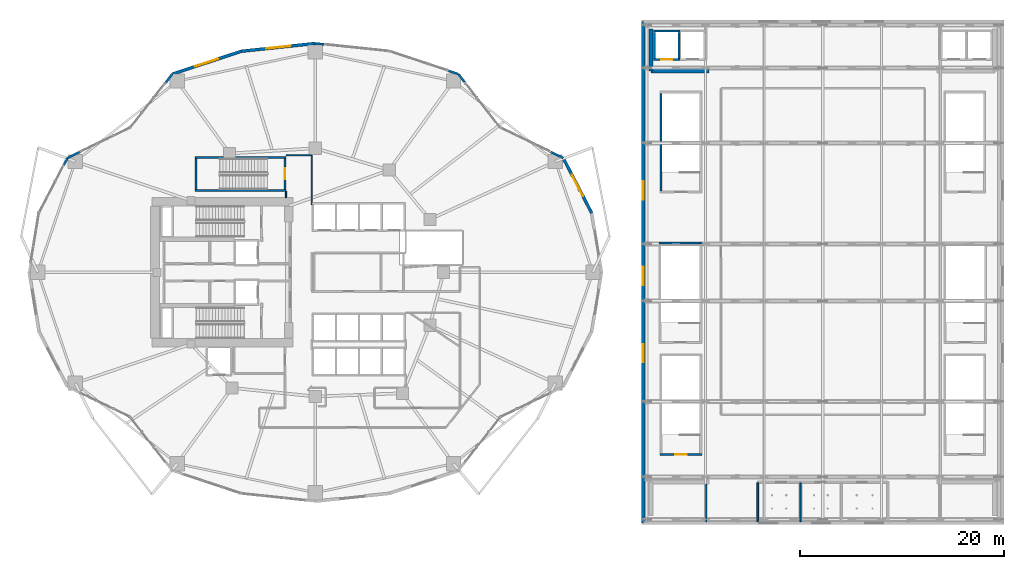
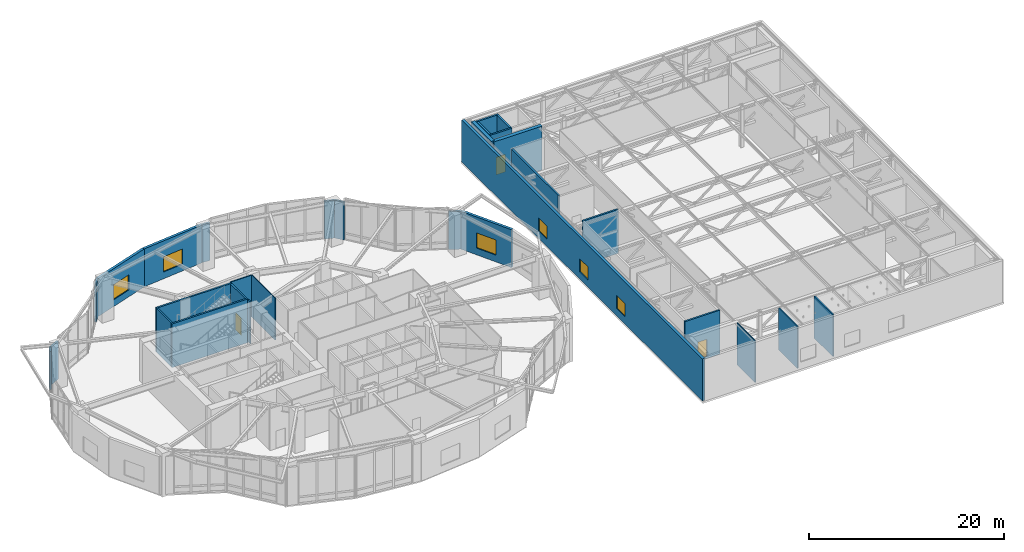
# One storey, part 24 of 29: 30 walls, 6 windows, 3 doors, 9 openings.
"""IFC4 building model written with IfcOpenShell, lengths in metres."""

from ifc_helpers import new_model, si_unit, direction, frame, frame_2d, origin, place, context, subcontext, project, spatial, rectangle, extrude, material, layer, layer_set, type_object, element, fill, save


model = new_model("IFC4")

# Units and contexts
model_context = context("Model", 3, precision=1e-05, world=origin(), true_north=direction((0.0, 1.0)))
body_context = subcontext(model_context, "Body", "Model", "MODEL_VIEW")
ifc_project = project(units=[si_unit("LENGTHUNIT", "METRE"), si_unit("AREAUNIT", "SQUARE_METRE"), si_unit("VOLUMEUNIT", "CUBIC_METRE"), si_unit("PLANEANGLEUNIT", "RADIAN"), si_unit("MASSUNIT", "GRAM", prefix="KILO")], contexts=[model_context])

# Site, building, storey
site_placement = place(None, origin())
site = spatial("IfcSite", under=ifc_project, at=site_placement, CompositionType="ELEMENT")
building_placement = place(site_placement, origin())
building = spatial("IfcBuilding", under=site, at=building_placement, Name="Kolvaren Gate Tower and Convention Centre", CompositionType="ELEMENT")
storey_placement = place(building_placement, frame((0.0, 0.0, 21.0)))
storey = spatial("IfcBuildingStorey", under=building, at=storey_placement, Name="L04", CompositionType="ELEMENT", Elevation=21.0)

# Walls
ifc_material_1 = material(Name="Fire-Rated Acoustic Gypsum Stud Partition", Category="gypsum")
ifc_layer_1 = layer(ifc_material_1, 0.1201171875)
ifc_layer_set_1 = layer_set([ifc_layer_1], Name="Fire-Rated Acoustic Gypsum Stud Partition")
wall_type_1 = type_object("IfcWallType", Name="ARCH-WL-PART-120", PredefinedType="PARTITIONING", material=ifc_layer_set_1)
wall_1_placement = place(storey_placement, frame((29.780029296875, 33.639892578125, 0.0), z_axis=(0.0, 0.0, 1.0), x_axis=(0.0, 1.0, 0.0)))
element("IfcWall", 1, at=wall_1_placement, inside=storey, type_object=wall_type_1, Name="Interior Partition WL-L04-INT-019", PredefinedType="PARTITIONING", context=body_context, shape_type="SweptSolid", body=[
    extrude(rectangle(XDim=4.860107421875, YDim=0.1201171875, at=frame_2d((2.43017578125, 0.0))), origin(), (0.0, 0.0, 1.0), 5.219970703125),
])
wall_2_placement = place(storey_placement, frame((27.25, 34.35205078125, 0.0), z_axis=(0.0, 0.0, 1.0), x_axis=(0.0, 1.0, 0.0)))
element("IfcWall", 2, at=wall_2_placement, inside=storey, type_object=wall_type_1, Name="Interior Partition WL-L04-INT-031", PredefinedType="PARTITIONING", context=body_context, shape_type="SweptSolid", body=[
    extrude(rectangle(XDim=0.60595703125, YDim=0.1201171875, at=frame_2d((0.302978515625, 0.0))), origin(), (0.0, 0.0, 1.0), 5.219970703125),
])
wall_3_placement = place(storey_placement, frame((27.25, 38.5, 0.0), z_axis=(0.0, 0.0, 1.0), x_axis=(1.0, 0.0, 0.0)))
element("IfcWall", 3, at=wall_3_placement, inside=storey, type_object=wall_type_1, Name="Interior Partition WL-L04-INT-032", PredefinedType="PARTITIONING", context=body_context, shape_type="SweptSolid", body=[
    extrude(rectangle(XDim=2.468017578125, YDim=0.1201171875, at=frame_2d((1.23388671875, 0.0))), origin(), (0.0, 0.0, 1.0), 5.219970703125),
])
wall_4_placement = place(storey_placement, frame((68.550048828125, 2.501953125, 0.0), z_axis=(0.0, 0.0, 1.0), x_axis=(0.0, 1.0, 0.0)))
element("IfcWall", 4, at=wall_4_placement, inside=storey, type_object=wall_type_1, Name="Interior Partition WL-L04-INT-047", PredefinedType="PARTITIONING", context=body_context, shape_type="SweptSolid", body=[
    extrude(rectangle(XDim=3.68603515625, YDim=0.1201171875, at=frame_2d((1.843017578125, 0.0))), origin(), (0.0, 0.0, 1.0), 5.25),
])
ifc_material_2 = material(Name="Bogota Sabana Bush-Hammered Sandstone Cladding", Category="masonry")
ifc_layer_2 = layer(ifc_material_2, 0.219970703125)
ifc_layer_set_2 = layer_set([ifc_layer_2], Name="Bogota Sabana Bush-Hammered Sandstone Cladding")
wall_type_2 = type_object("IfcWallType", Name="ARCH-WL-PIER-220", PredefinedType="SOLIDWALL", material=ifc_layer_set_2)
wall_5_placement = place(storey_placement, frame((53.23681640625, 38.848388671875, 0.0), z_axis=(0.0, 0.0, 1.0), x_axis=(0.901316119915, -0.433161923512, 0.0)))
element("IfcWall", 5, at=wall_5_placement, inside=storey, type_object=wall_type_2, Name="Tower L04 Unitised Curtain Wall CW-POD-GLZ Bay 02 Right Column Pier Wrap", PredefinedType="SOLIDWALL", context=body_context, shape_type="SweptSolid", body=[
    extrude(rectangle(XDim=1.38134765625, YDim=0.219970703125, at=frame_2d((0.690673828125, 0.0))), origin(), (0.0, 0.0, 1.0), 4.742919921875),
])
wall_6_placement = place(storey_placement, frame((44.1875, 46.485595703125, 0.0), z_axis=(0.0, 0.0, 1.0), x_axis=(0.616387780378, -0.787442762492, 0.0)))
element("IfcWall", 6, at=wall_6_placement, inside=storey, type_object=wall_type_2, Name="Tower L04 Unitised Curtain Wall CW-POD-GLZ Bay 03 Left Column Pier Wrap", PredefinedType="SOLIDWALL", context=body_context, shape_type="SweptSolid", body=[
    extrude(rectangle(XDim=1.076171875, YDim=0.219970703125, at=frame_2d((0.5380859375, 0.0))), origin(), (0.0, 0.0, 1.0), 4.742919921875),
])
wall_7_placement = place(storey_placement, frame((43.148193359375, 46.830078125, 0.0), z_axis=(0.0, 0.0, 1.0), x_axis=(0.949217086672, -0.314621872045, 0.0)))
element("IfcWall", 7, at=wall_7_placement, inside=storey, type_object=wall_type_2, Name="Tower L04 Unitised Curtain Wall CW-POD-GLZ Bay 04 Right Column Pier Wrap", PredefinedType="SOLIDWALL", context=body_context, shape_type="SweptSolid", body=[
    extrude(rectangle(XDim=1.094970703125, YDim=0.219970703125, at=frame_2d((0.54736328125, 0.0))), origin(), (0.0, 0.0, 1.0), 4.742919921875),
])
wall_8_placement = place(storey_placement, frame((30.125, 49.5, 0.0), z_axis=(0.0, 0.0, 1.0), x_axis=(0.994486716049, -0.104862632057, 0.0)))
element("IfcWall", 8, at=wall_8_placement, inside=storey, type_object=wall_type_2, Name="Tower L04 Unitised Curtain Wall CW-POD-GLZ Bay 05 Left Column Pier Wrap", PredefinedType="SOLIDWALL", context=body_context, shape_type="SweptSolid", body=[
    extrude(rectangle(XDim=0.928955078125, YDim=0.219970703125, at=frame_2d((0.46435546875, 0.0))), origin(), (0.0, 0.0, 1.0), 4.742919921875),
])
wall_9_placement = place(storey_placement, frame((15.39892578125, 45.63818359375, 0.0), z_axis=(0.0, 0.0, 1.0), x_axis=(0.616528421162, 0.787332652632, 0.0)))
element("IfcWall", 9, at=wall_9_placement, inside=storey, type_object=wall_type_2, Name="Tower L04 Unitised Curtain Wall CW-POD-GLZ Bay 08 Right Column Pier Wrap", PredefinedType="SOLIDWALL", context=body_context, shape_type="SweptSolid", body=[
    extrude(rectangle(XDim=1.076416015625, YDim=0.219970703125, at=frame_2d((0.5380859375, 0.0))), origin(), (0.0, 0.0, 1.0), 4.742919921875),
])
wall_10_placement = place(storey_placement, frame((5.76806640625, 38.25, 0.0), z_axis=(0.0, 0.0, 1.0), x_axis=(0.90131879969, 0.433156347438, 0.0)))
element("IfcWall", 10, at=wall_10_placement, inside=storey, type_object=wall_type_2, Name="Tower L04 Unitised Curtain Wall CW-POD-GLZ Bay 09 Left Column Pier Wrap", PredefinedType="SOLIDWALL", context=body_context, shape_type="SweptSolid", body=[
    extrude(rectangle(XDim=1.380859375, YDim=0.219970703125, at=frame_2d((0.6904296875, 0.0))), origin(), (0.0, 0.0, 1.0), 4.742919921875),
])
wall_11_placement = place(storey_placement, frame((5.3994140625, 37.537841796875, 0.0), z_axis=(0.0, 0.0, 1.0), x_axis=(0.459712774547, 0.88806765785, 0.0)))
element("IfcWall", 11, at=wall_11_placement, inside=storey, type_object=wall_type_2, Name="Tower L04 Unitised Curtain Wall CW-POD-GLZ Bay 10 Right Column Pier Wrap", PredefinedType="SOLIDWALL", context=body_context, shape_type="SweptSolid", body=[
    extrude(rectangle(XDim=0.802001953125, YDim=0.219970703125, at=frame_2d((0.40087890625, 0.0))), origin(), (0.0, 0.0, 1.0), 4.742919921875),
])
ifc_material_3 = material(Name="Autoclaved Aerated Masonry Blockwork Class 4 (4.0 MPa)", Category="masonry")
ifc_layer_3 = layer(ifc_material_3, 0.199951171875)
ifc_layer_set_3 = layer_set([ifc_layer_3], Name="Autoclaved Aerated Masonry Blockwork Class 4 (4.0 MPa)")
wall_type_3 = type_object("IfcWallType", Name="ARCH-WL-SHAFT-200", PredefinedType="SOLIDWALL", material=ifc_layer_set_3)
wall_12_placement = place(storey_placement, frame((63.35009765625, 50.699951171875, 0.0), z_axis=(0.0, 0.0, 1.0), x_axis=(1.0, 0.0, 0.0)))
element("IfcWall", 12, at=wall_12_placement, inside=storey, type_object=wall_type_3, Name="Elevator CL-01 L04 Fire Shaft Wall N", PredefinedType="SOLIDWALL", context=body_context, shape_type="SweptSolid", body=[
    extrude(rectangle(XDim=2.599853515625, YDim=0.199951171875, at=frame_2d((1.2998046875, 0.0))), origin(), (0.0, 0.0, 1.0), 5.25),
])

# Wall, opening, door
wall_13_placement = place(storey_placement, frame((63.35009765625, 47.89990234375, 0.0), z_axis=(0.0, 0.0, 1.0), x_axis=(1.0, 0.0, 0.0)))
wall_13 = element("IfcWall", 13, at=wall_13_placement, inside=storey, type_object=wall_type_3, Name="Elevator CL-01 L04 Fire Shaft Wall S", PredefinedType="SOLIDWALL", context=body_context, shape_type="SweptSolid", body=[
    extrude(rectangle(XDim=2.599853515625, YDim=0.199951171875, at=frame_2d((1.2998046875, 0.0))), origin(), (0.0, 0.0, 1.0), 5.25),
])
opening_1_placement = place(wall_13_placement, frame((0.75, 0.0, 0.0)))
opening_1 = element("IfcOpeningElement", 14, at=opening_1_placement, cuts=wall_13, Name="Opening LD", PredefinedType="OPENING", context=body_context, shape_type="SweptSolid", body=[
    extrude(rectangle(XDim=1.10009765625, YDim=2.199951171875, at=frame_2d((0.550048828125, 1.10009765625))), frame((0.0, 0.10986328125, 0.0), z_axis=(0.0, -1.0, 0.0), x_axis=(1.0, 0.0, 0.0)), (0.0, 0.0, 1.0), 0.219970703125),
])
ifc_material_4 = material(Name="Brushed Stainless Steel Grade 316L", Category="steel")
door_type_1 = type_object("IfcDoorType", Name="ARCH-DR-LIFT-1100", OperationType="SLIDING_TO_LEFT", PredefinedType="DOOR", material=ifc_material_4)
door_1_placement = place(opening_1_placement, origin())
door_1 = element("IfcDoor", 15, at=door_1_placement, inside=storey, type_object=door_type_1, Name="Elevator CL-01 L04 Sliding Landing Door", OperationType="SLIDING_TO_LEFT", OverallHeight=2.199951171875, OverallWidth=1.10009765625, PredefinedType="DOOR", context=body_context, shape_type="SweptSolid", body=[
    extrude(rectangle(XDim=1.10009765625, YDim=2.199951171875, at=frame_2d((0.550048828125, 1.10009765625))), frame((0.0, 0.02490234375, 0.0), z_axis=(0.0, -1.0, 0.0), x_axis=(1.0, 0.0, 0.0)), (0.0, 0.0, 1.0), 0.050048828125),
])
fill(opening_1, door_1)

# Walls
for number, where, z_axis, x_axis, name in (
    (16, (63.449951171875, 48.010009765625, 0.0), (0.0, 0.0, 1.0), (0.0, 1.0, 0.0), "Elevator CL-01 L04 Fire Shaft Wall W"),
    (17, (65.85009765625, 48.010009765625, 0.0), (0.0, 0.0, 1.0), (0.0, 1.0, 0.0), "Elevator CL-01 L04 Fire Shaft Wall E"),
):
    element("IfcWall", number, at=place(storey_placement, frame(where, z_axis=z_axis, x_axis=x_axis)), inside=storey, type_object=wall_type_3, Name=name, PredefinedType="SOLIDWALL", context=body_context, shape_type="SweptSolid", body=[
        extrude(rectangle(XDim=2.580078125, YDim=0.199951171875, at=frame_2d((1.2900390625, 0.0))), origin(), (0.0, 0.0, 1.0), 5.25),
    ])

# Wall, opening, window
ifc_material_5 = material(Name="Piedmont Cream Honed Limestone Cladding", Category="masonry")
ifc_layer_4 = layer(ifc_material_5, 0.300048828125)
ifc_layer_set_4 = layer_set([ifc_layer_4], Name="Piedmont Cream Honed Limestone Cladding")
wall_type_4 = type_object("IfcWallType", Name="ARCH-WL-STONE-300", PredefinedType="SOLIDWALL", material=ifc_layer_set_4)
wall_14_placement = place(storey_placement, frame((54.48193359375, 38.25, 0.0), z_axis=(0.0, 0.0, 1.0), x_axis=(0.459809804413, -0.88801742312, 0.0)))
wall_14 = element("IfcWall", 18, at=wall_14_placement, inside=storey, type_object=wall_type_4, Name="Tower L04 Honed Stone Spandrel Wall EW-01", PredefinedType="SOLIDWALL", context=body_context, shape_type="SweptSolid", body=[
    extrude(rectangle(XDim=6.11083984375, YDim=0.300048828125, at=frame_2d((3.055419921875, 0.0))), origin(), (0.0, 0.0, 1.0), 4.742919921875),
])
opening_2_placement = place(wall_14_placement, frame((1.85498046875, 0.0, 0.85009765625)))
opening_2 = element("IfcOpeningElement", 19, at=opening_2_placement, cuts=wall_14, Name="Opening W-01", PredefinedType="OPENING", context=body_context, shape_type="SweptSolid", body=[
    extrude(rectangle(XDim=2.39990234375, YDim=1.89990234375, at=frame_2d((1.199951171875, 0.949951171875))), frame((0.0, 0.159912109375, 0.0), z_axis=(0.0, -1.0, 0.0), x_axis=(1.0, 0.0, 0.0)), (0.0, 0.0, 1.0), 0.320068359375),
])
ifc_material_6 = material(Name="Low-E Triple Insulated Glazing Unit 44 mm", Category="glass")
window_type_1 = type_object("IfcWindowType", Name="ARCH-WN-OFF-2400", PartitioningType="SINGLE_PANEL", PredefinedType="WINDOW", material=ifc_material_6)
window_1_placement = place(opening_2_placement, origin())
window_1 = element("IfcWindow", 20, at=window_1_placement, inside=storey, type_object=window_type_1, Name="Tower L04 Punched Stone Facade Window W-01", OverallHeight=1.89990234375, OverallWidth=2.39990234375, PartitioningType="SINGLE_PANEL", PredefinedType="WINDOW", context=body_context, shape_type="SweptSolid", body=[
    extrude(rectangle(XDim=2.39990234375, YDim=1.89990234375, at=frame_2d((1.199951171875, 0.949951171875))), frame((0.0, 0.030029296875, 0.0), z_axis=(0.0, -1.0, 0.0), x_axis=(1.0, 0.0, 0.0)), (0.0, 0.0, 1.0), 0.06005859375),
])
fill(opening_2, window_1)

wall_15_placement = place(storey_placement, frame((22.845703125, 48.7333984375, 0.0), z_axis=(0.0, 0.0, 1.0), x_axis=(0.994500334317, 0.104733399844, 0.0)))
wall_15 = element("IfcWall", 21, at=wall_15_placement, inside=storey, type_object=wall_type_4, Name="Tower L04 Honed Stone Spandrel Wall EW-06", PredefinedType="SOLIDWALL", context=body_context, shape_type="SweptSolid", body=[
    extrude(rectangle(XDim=7.319580078125, YDim=0.300048828125, at=frame_2d((3.65966796875, 0.0))), origin(), (0.0, 0.0, 1.0), 4.742919921875),
])
opening_3_placement = place(wall_15_placement, frame((2.4599609375, 0.0, 0.85009765625)))
opening_3 = element("IfcOpeningElement", 22, at=opening_3_placement, cuts=wall_15, Name="Opening W-01", PredefinedType="OPENING", context=body_context, shape_type="SweptSolid", body=[
    extrude(rectangle(XDim=2.39990234375, YDim=1.89990234375, at=frame_2d((1.199951171875, 0.949951171875))), frame((0.0, 0.159912109375, 0.0), z_axis=(0.0, -1.0, 0.0), x_axis=(1.0, 0.0, 0.0)), (0.0, 0.0, 1.0), 0.320068359375),
])
window_2_placement = place(opening_3_placement, origin())
window_2 = element("IfcWindow", 23, at=window_2_placement, inside=storey, type_object=window_type_1, Name="Tower L04 Punched Stone Facade Window W-06", OverallHeight=1.89990234375, OverallWidth=2.39990234375, PartitioningType="SINGLE_PANEL", PredefinedType="WINDOW", context=body_context, shape_type="SweptSolid", body=[
    extrude(rectangle(XDim=2.39990234375, YDim=1.89990234375, at=frame_2d((1.199951171875, 0.949951171875))), frame((0.0, 0.030029296875, 0.0), z_axis=(0.0, -1.0, 0.0), x_axis=(1.0, 0.0, 0.0)), (0.0, 0.0, 1.0), 0.06005859375),
])
fill(opening_3, window_2)

wall_16_placement = place(storey_placement, frame((16.0625, 46.485595703125, 0.0), z_axis=(0.0, 0.0, 1.0), x_axis=(0.949238715533, 0.31455661006, 0.0)))
wall_16 = element("IfcWall", 24, at=wall_16_placement, inside=storey, type_object=wall_type_4, Name="Tower L04 Honed Stone Spandrel Wall EW-07", PredefinedType="SOLIDWALL", context=body_context, shape_type="SweptSolid", body=[
    extrude(rectangle(XDim=7.14599609375, YDim=0.300048828125, at=frame_2d((3.572998046875, 0.0))), origin(), (0.0, 0.0, 1.0), 4.742919921875),
])
opening_4_placement = place(wall_16_placement, frame((2.373046875, 0.0, 0.85009765625)))
opening_4 = element("IfcOpeningElement", 25, at=opening_4_placement, cuts=wall_16, Name="Opening W-01", PredefinedType="OPENING", context=body_context, shape_type="SweptSolid", body=[
    extrude(rectangle(XDim=2.39990234375, YDim=1.89990234375, at=frame_2d((1.199951171875, 0.949951171875))), frame((0.0, 0.159912109375, 0.0), z_axis=(0.0, -1.0, 0.0), x_axis=(1.0, 0.0, 0.0)), (0.0, 0.0, 1.0), 0.320068359375),
])
window_3_placement = place(opening_4_placement, origin())
window_3 = element("IfcWindow", 26, at=window_3_placement, inside=storey, type_object=window_type_1, Name="Tower L04 Punched Stone Facade Window W-07", OverallHeight=1.89990234375, OverallWidth=2.39990234375, PartitioningType="SINGLE_PANEL", PredefinedType="WINDOW", context=body_context, shape_type="SweptSolid", body=[
    extrude(rectangle(XDim=2.39990234375, YDim=1.89990234375, at=frame_2d((1.199951171875, 0.949951171875))), frame((0.0, 0.030029296875, 0.0), z_axis=(0.0, -1.0, 0.0), x_axis=(1.0, 0.0, 0.0)), (0.0, 0.0, 1.0), 0.06005859375),
])
fill(opening_4, window_3)

# Wall, openings, windows
wall_17_placement = place(storey_placement, frame((62.35009765625, 2.35009765625, 0.0), z_axis=(0.0, 0.0, 1.0), x_axis=(0.0, 1.0, 0.0)))
wall_17 = element("IfcWall", 27, at=wall_17_placement, inside=storey, type_object=wall_type_4, Name="Convention Centre L04 W Stone Facade Wall", PredefinedType="SOLIDWALL", context=body_context, shape_type="SweptSolid", body=[
    extrude(rectangle(XDim=49.2998046875, YDim=0.300048828125, at=frame_2d((24.64990234375, 0.0))), origin(), (0.0, 0.0, 1.0), 5.25),
])
opening_5_placement = place(wall_17_placement, frame((15.800048828125, 0.0, 0.89990234375)))
opening_5 = element("IfcOpeningElement", 28, at=opening_5_placement, cuts=wall_17, Name="Opening W-05", PredefinedType="OPENING", context=body_context, shape_type="SweptSolid", body=[
    extrude(rectangle(XDim=1.800048828125, YDim=1.64990234375, at=frame_2d((0.89990234375, 0.824951171875))), frame((0.0, 0.159912109375, 0.0), z_axis=(0.0, -1.0, 0.0), x_axis=(1.0, 0.0, 0.0)), (0.0, 0.0, 1.0), 0.320068359375),
])
opening_6_placement = place(wall_17_placement, frame((23.39990234375, 0.0, 0.89990234375)))
opening_6 = element("IfcOpeningElement", 29, at=opening_6_placement, cuts=wall_17, Name="Opening W-05", PredefinedType="OPENING", context=body_context, shape_type="SweptSolid", body=[
    extrude(rectangle(XDim=1.800048828125, YDim=1.64990234375, at=frame_2d((0.89990234375, 0.824951171875))), frame((0.0, 0.159912109375, 0.0), z_axis=(0.0, -1.0, 0.0), x_axis=(1.0, 0.0, 0.0)), (0.0, 0.0, 1.0), 0.320068359375),
])
opening_7_placement = place(wall_17_placement, frame((31.800048828125, 0.0, 0.89990234375)))
opening_7 = element("IfcOpeningElement", 30, at=opening_7_placement, cuts=wall_17, Name="Opening W-05", PredefinedType="OPENING", context=body_context, shape_type="SweptSolid", body=[
    extrude(rectangle(XDim=1.800048828125, YDim=1.64990234375, at=frame_2d((0.89990234375, 0.824951171875))), frame((0.0, 0.159912109375, 0.0), z_axis=(0.0, -1.0, 0.0), x_axis=(1.0, 0.0, 0.0)), (0.0, 0.0, 1.0), 0.320068359375),
])
window_type_2 = type_object("IfcWindowType", Name="ARCH-WN-CONV-1800", PartitioningType="SINGLE_PANEL", PredefinedType="WINDOW", material=ifc_material_6)
window_4_placement = place(opening_5_placement, origin())
window_4 = element("IfcWindow", 31, at=window_4_placement, inside=storey, type_object=window_type_2, Name="Convention L04 W Clerestory Window CW-1", OverallHeight=1.64990234375, OverallWidth=1.800048828125, PartitioningType="SINGLE_PANEL", PredefinedType="WINDOW", context=body_context, shape_type="SweptSolid", body=[
    extrude(rectangle(XDim=1.800048828125, YDim=1.64990234375, at=frame_2d((0.89990234375, 0.824951171875))), frame((0.0, 0.030029296875, 0.0), z_axis=(0.0, -1.0, 0.0), x_axis=(1.0, 0.0, 0.0)), (0.0, 0.0, 1.0), 0.06005859375),
])
fill(opening_5, window_4)
window_5_placement = place(opening_6_placement, origin())
window_5 = element("IfcWindow", 32, at=window_5_placement, inside=storey, type_object=window_type_2, Name="Convention L04 W Clerestory Window CW-2", OverallHeight=1.64990234375, OverallWidth=1.800048828125, PartitioningType="SINGLE_PANEL", PredefinedType="WINDOW", context=body_context, shape_type="SweptSolid", body=[
    extrude(rectangle(XDim=1.800048828125, YDim=1.64990234375, at=frame_2d((0.89990234375, 0.824951171875))), frame((0.0, 0.030029296875, 0.0), z_axis=(0.0, -1.0, 0.0), x_axis=(1.0, 0.0, 0.0)), (0.0, 0.0, 1.0), 0.06005859375),
])
fill(opening_6, window_5)
window_6_placement = place(opening_7_placement, origin())
window_6 = element("IfcWindow", 33, at=window_6_placement, inside=storey, type_object=window_type_2, Name="Convention L04 W Clerestory Window CW-3", OverallHeight=1.64990234375, OverallWidth=1.800048828125, PartitioningType="SINGLE_PANEL", PredefinedType="WINDOW", context=body_context, shape_type="SweptSolid", body=[
    extrude(rectangle(XDim=1.800048828125, YDim=1.64990234375, at=frame_2d((0.89990234375, 0.824951171875))), frame((0.0, 0.030029296875, 0.0), z_axis=(0.0, -1.0, 0.0), x_axis=(1.0, 0.0, 0.0)), (0.0, 0.0, 1.0), 0.06005859375),
])
fill(opening_7, window_6)

# Walls
ifc_material_7 = material(Name="Moisture-Resistant Cement-Board Acoustic Partition", Category="gypsum")
ifc_layer_5 = layer(ifc_material_7, 0.14990234375)
ifc_layer_set_5 = layer_set([ifc_layer_5], Name="Moisture-Resistant Cement-Board Acoustic Partition")
wall_type_5 = type_object("IfcWallType", Name="ARCH-WL-WET-150", PredefinedType="PARTITIONING", material=ifc_layer_set_5)
for number, where, z_axis, x_axis, name in (
    (34, (73.60009765625, 2.501953125, 0.0), (0.0, 0.0, 1.0), (0.0, 1.0, 0.0), "Interior Partition WL-L04-INT-053"),
    (35, (77.800048828125, 2.501953125, 0.0), (0.0, 0.0, 1.0), (0.0, 1.0, 0.0), "Interior Partition WL-L04-INT-058"),
):
    element("IfcWall", number, at=place(storey_placement, frame(where, z_axis=z_axis, x_axis=x_axis)), inside=storey, type_object=wall_type_5, Name=name, PredefinedType="PARTITIONING", context=body_context, shape_type="SweptSolid", body=[
        extrude(rectangle(XDim=3.821044921875, YDim=0.14990234375, at=frame_2d((1.91064453125, 0.0))), origin(), (0.0, 0.0, 1.0), 5.25),
    ])
ifc_material_8 = material(Name="Concrete C50/60", Category="concrete")
ifc_layer_6 = layer(ifc_material_8, 0.419921875)
ifc_layer_set_6 = layer_set([ifc_layer_6], Name="Concrete C50/60")
wall_type_6 = type_object("IfcWallType", Name="STR-WL-CONV-420", PredefinedType="SHEAR", material=ifc_layer_set_6)
wall_18_placement = place(storey_placement, frame((63.10009765625, 46.800048828125, -0.239990234375), z_axis=(0.0, 0.0, 1.0), x_axis=(0.0, 1.0, 0.0)))
element("IfcWall", 36, at=wall_18_placement, inside=storey, type_object=wall_type_6, Name="Convention L04 Shear Core Wall CCNW-W", PredefinedType="SHEAR", context=body_context, shape_type="SweptSolid", body=[
    extrude(rectangle(XDim=4.099853515625, YDim=0.419921875, at=frame_2d((2.0498046875, 0.0))), origin(), (0.0, 0.0, 1.0), 5.489990234375),
])
wall_19_placement = place(storey_placement, frame((63.10009765625, 46.800048828125, -0.239990234375), z_axis=(0.0, 0.0, 1.0), x_axis=(1.0, 0.0, 0.0)))
element("IfcWall", 37, at=wall_19_placement, inside=storey, type_object=wall_type_6, Name="Convention L04 Shear Core Wall CCNW-S", PredefinedType="SHEAR", context=body_context, shape_type="SweptSolid", body=[
    extrude(rectangle(XDim=5.699951171875, YDim=0.419921875, at=frame_2d((2.85009765625, 0.0))), origin(), (0.0, 0.0, 1.0), 5.489990234375),
])

# Wall, opening, door
ifc_layer_7 = layer(ifc_material_8, 0.199951171875)
ifc_layer_set_7 = layer_set([ifc_layer_7], Name="Concrete C50/60")
wall_type_7 = type_object("IfcWallType", Name="STR-WL-SHAFT-200", PredefinedType="SHEAR", material=ifc_layer_set_7)
wall_20_placement = place(storey_placement, frame((27.14990234375, 35.159912109375, -0.239990234375), z_axis=(0.0, 0.0, 1.0), x_axis=(0.0, 1.0, 0.0)))
wall_20 = element("IfcWall", 38, at=wall_20_placement, inside=storey, type_object=wall_type_7, Name="Tower Mid-Zone Exit Stair ST-T3 L04 Structural Shear Enclosure Wall NEAR", PredefinedType="SHEAR", context=body_context, shape_type="SweptSolid", body=[
    extrude(rectangle(XDim=3.0400390625, YDim=0.199951171875, at=frame_2d((1.52001953125, 0.0))), origin(), (0.0, 0.0, 1.0), 5.4599609375),
])
opening_8_placement = place(wall_20_placement, frame((0.969970703125, 0.0, 0.239990234375)))
opening_8 = element("IfcOpeningElement", 39, at=opening_8_placement, cuts=wall_20, Name="Opening DS-01", PredefinedType="OPENING", context=body_context, shape_type="SweptSolid", body=[
    extrude(rectangle(XDim=1.10009765625, YDim=2.14990234375, at=frame_2d((0.550048828125, 1.074951171875))), frame((0.0, 0.10986328125, 0.0), z_axis=(0.0, -1.0, 0.0), x_axis=(1.0, 0.0, 0.0)), (0.0, 0.0, 1.0), 0.219970703125),
])
ifc_material_9 = material(Name="Painted Architectural Steelwork ASTM A500 Grade C 345 MPa", Category="steel")
door_type_2 = type_object("IfcDoorType", Name="ARCH-DR-STAIR-1100", OperationType="SINGLE_SWING_LEFT", PredefinedType="DOOR", material=ifc_material_9)
door_2_placement = place(opening_8_placement, origin())
door_2 = element("IfcDoor", 40, at=door_2_placement, inside=storey, type_object=door_type_2, Name="Tower Mid-Zone Exit Stair ST-T3 L04 Fire Exit Stair Door", OperationType="SINGLE_SWING_RIGHT", OverallHeight=2.14990234375, OverallWidth=1.10009765625, PredefinedType="DOOR", context=body_context, shape_type="SweptSolid", body=[
    extrude(rectangle(XDim=1.10009765625, YDim=2.14990234375, at=frame_2d((0.550048828125, 1.074951171875))), frame((0.0, 0.02490234375, 0.0), z_axis=(0.0, -1.0, 0.0), x_axis=(1.0, 0.0, 0.0)), (0.0, 0.0, 1.0), 0.050048828125),
])
fill(opening_8, door_2)

# Walls
wall_21_placement = place(storey_placement, frame((18.39990234375, 35.159912109375, -0.239990234375), z_axis=(0.0, 0.0, 1.0), x_axis=(0.0, 1.0, 0.0)))
element("IfcWall", 41, at=wall_21_placement, inside=storey, type_object=wall_type_7, Name="Tower Mid-Zone Exit Stair ST-T3 L04 Structural Shear Enclosure Wall FAR", PredefinedType="SHEAR", context=body_context, shape_type="SweptSolid", body=[
    extrude(rectangle(XDim=3.0400390625, YDim=0.199951171875, at=frame_2d((1.52001953125, 0.0))), origin(), (0.0, 0.0, 1.0), 5.4599609375),
])
for number, where, z_axis, x_axis, name in (
    (42, (18.300048828125, 38.300048828125, -0.239990234375), (0.0, 0.0, 1.0), (1.0, 0.0, 0.0), "Tower Mid-Zone Exit Stair ST-T3 L04 Structural Shear Enclosure Wall LEFT"),
    (43, (18.300048828125, 35.06005859375, -0.239990234375), (0.0, 0.0, 1.0), (1.0, 0.0, 0.0), "Tower Mid-Zone Exit Stair ST-T3 L04 Structural Shear Enclosure Wall RGHT"),
):
    element("IfcWall", number, at=place(storey_placement, frame(where, z_axis=z_axis, x_axis=x_axis)), inside=storey, type_object=wall_type_7, Name=name, PredefinedType="SHEAR", context=body_context, shape_type="SweptSolid", body=[
        extrude(rectangle(XDim=8.949951171875, YDim=0.199951171875, at=frame_2d((4.47509765625, 0.0))), origin(), (0.0, 0.0, 1.0), 5.4599609375),
    ])
wall_22_placement = place(storey_placement, frame((64.10009765625, 35.001953125, -0.239990234375), z_axis=(0.0, 0.0, 1.0), x_axis=(0.0, 1.0, 0.0)))
element("IfcWall", 44, at=wall_22_placement, inside=storey, type_object=wall_type_7, Name="Convention NW Exit Stair ST-C1 L04 Structural Shear Enclosure Wall WEST", PredefinedType="SHEAR", context=body_context, shape_type="SweptSolid", body=[
    extrude(rectangle(XDim=9.595947265625, YDim=0.199951171875, at=frame_2d((4.7978515625, 0.0))), origin(), (0.0, 0.0, 1.0), 5.489990234375),
])

# Wall, opening, door
wall_23_placement = place(storey_placement, frame((64.0, 9.10009765625, -0.239990234375), z_axis=(0.0, 0.0, 1.0), x_axis=(1.0, 0.0, 0.0)))
wall_23 = element("IfcWall", 45, at=wall_23_placement, inside=storey, type_object=wall_type_7, Name="Convention SW Exit Stair ST-C2 L04 Structural Shear Enclosure Wall NEAR", PredefinedType="SHEAR", context=body_context, shape_type="SweptSolid", body=[
    extrude(rectangle(XDim=4.10009765625, YDim=0.199951171875, at=frame_2d((2.050048828125, 0.0))), origin(), (0.0, 0.0, 1.0), 5.489990234375),
])
opening_9_placement = place(wall_23_placement, frame((1.5, 0.0, 0.239990234375)))
opening_9 = element("IfcOpeningElement", 46, at=opening_9_placement, cuts=wall_23, Name="Opening DS-01", PredefinedType="OPENING", context=body_context, shape_type="SweptSolid", body=[
    extrude(rectangle(XDim=1.10009765625, YDim=2.14990234375, at=frame_2d((0.550048828125, 1.074951171875))), frame((0.0, 0.10986328125, 0.0), z_axis=(0.0, -1.0, 0.0), x_axis=(1.0, 0.0, 0.0)), (0.0, 0.0, 1.0), 0.219970703125),
])
door_3_placement = place(opening_9_placement, origin())
door_3 = element("IfcDoor", 47, at=door_3_placement, inside=storey, type_object=door_type_2, Name="Convention SW Exit Stair ST-C2 L04 Fire Exit Stair Door", OperationType="SINGLE_SWING_RIGHT", OverallHeight=2.14990234375, OverallWidth=1.10009765625, PredefinedType="DOOR", context=body_context, shape_type="SweptSolid", body=[
    extrude(rectangle(XDim=1.10009765625, YDim=2.14990234375, at=frame_2d((0.550048828125, 1.074951171875))), frame((0.0, 0.02490234375, 0.0), z_axis=(0.0, -1.0, 0.0), x_axis=(1.0, 0.0, 0.0)), (0.0, 0.0, 1.0), 0.050048828125),
])
fill(opening_9, door_3)

# Wall
wall_24_placement = place(storey_placement, frame((63.89990234375, 29.89990234375, -0.239990234375), z_axis=(0.0, 0.0, 1.0), x_axis=(1.0, 0.0, 0.0)))
element("IfcWall", 48, at=wall_24_placement, inside=storey, type_object=wall_type_7, Name="Convention West Assembly Stair ST-C5 L04 Structural Shear Enclosure Wall FAR", PredefinedType="SHEAR", context=body_context, shape_type="SweptSolid", body=[
    extrude(rectangle(XDim=4.2001953125, YDim=0.199951171875, at=frame_2d((2.10009765625, 0.0))), origin(), (0.0, 0.0, 1.0), 5.489990234375),
])

save(model, "model.ifc")
